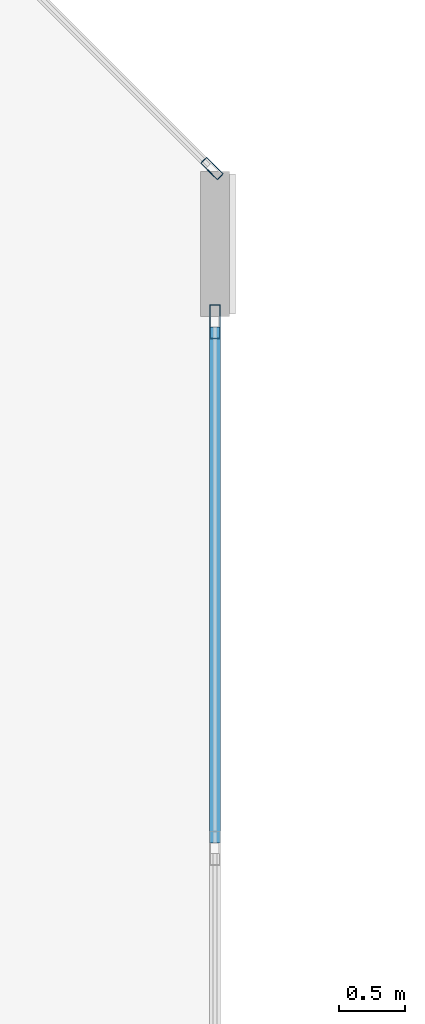
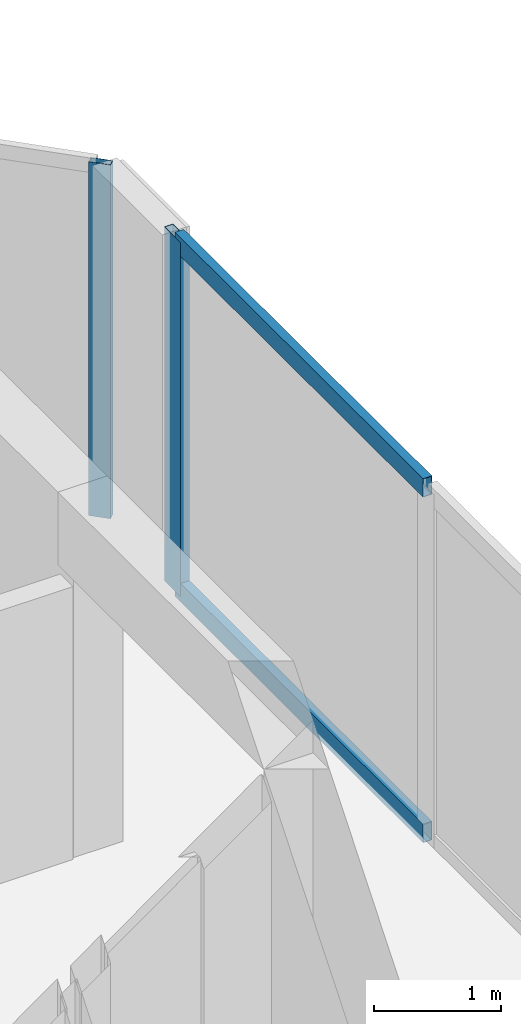
# One storey, part 8 of 28: 4 members, 2 elements without a shape of their own.
"""IFC4 building model written with IfcOpenShell, lengths in metres."""

import ifcopenshell
import ifcopenshell.guid

model = None  # the IFC model being written
_history = None  # IfcOwnerHistory: only IFC2X3 demands one
_inside = {}  # id of a spatial element -> (the spatial element, [elements in it])
_under = {}  # id of a project, library or spatial element -> (it, [spatial elements below it])
_declared = {}  # id of a project -> (the project, [libraries it declares])
_typed = {}  # id of a type object -> (the type object, [elements of that type])
_made_of = {}  # id of a material, layer set ... -> (it, [elements and type objects made of it])


def new_model(schema):
    """Start an empty IFC model of exactly this schema.

    Asked for "IFC4X3", IfcOpenShell would pick the latest addendum, in which some entities
    have other attributes; the version numbers below select the first issue.
    IFC2X3 requires an IfcOwnerHistory on every rooted entity: one is made here for all.
    """
    global model, _history
    if schema == "IFC4X3":
        model = ifcopenshell.file(schema_version=(4, 3, 0, 0))
    else:
        model = ifcopenshell.file(schema=schema)
    _inside.clear()
    _under.clear()
    _declared.clear()
    _typed.clear()
    _made_of.clear()
    _history = None
    if model.schema == "IFC2X3":
        org = make("IfcOrganization", Name="unknown")
        user = make(
            "IfcPersonAndOrganization",
            ThePerson=make("IfcPerson", FamilyName="unknown"),
            TheOrganization=org,
        )
        app = make(
            "IfcApplication",
            ApplicationDeveloper=org,
            Version="unknown",
            ApplicationFullName="unknown",
            ApplicationIdentifier="unknown",
        )
        _history = make(
            "IfcOwnerHistory",
            OwningUser=user,
            OwningApplication=app,
            ChangeAction="ADDED",
            CreationDate=0,
        )
    return model


def make(cls, **values):
    """One entity of the class cls with the attributes given. An attribute that is None is left unset."""
    return model.create_entity(
        cls, **{name: value for name, value in values.items() if value is not None}
    )


def rooted(cls, **values):
    """An entity with a GlobalId (a new one), such as an element, a storey or a relation."""
    return make(cls, GlobalId=ifcopenshell.guid.new(), OwnerHistory=_history, **values)


def si_unit(unit_type, name, prefix=None):
    """IfcSIUnit, for example si_unit("LENGTHUNIT", "METRE", prefix="MILLI")."""
    return make("IfcSIUnit", UnitType=unit_type, Prefix=prefix, Name=name)


def assignment(units):
    """IfcUnitAssignment: the units of a project."""
    return None if units is None else make("IfcUnitAssignment", Units=units)


def point(xyz):
    """IfcCartesianPoint."""
    return None if xyz is None else make("IfcCartesianPoint", Coordinates=xyz)


def direction(xyz):
    """IfcDirection."""
    return None if xyz is None else make("IfcDirection", DirectionRatios=xyz)


def frame(location, z_axis=None, x_axis=None):
    """IfcAxis2Placement3D, a coordinate frame: its origin and axes. An axis left out is left unset."""
    return make(
        "IfcAxis2Placement3D",
        Location=point(location),
        Axis=direction(z_axis),
        RefDirection=direction(x_axis),
    )


def frame_2d(location, x_axis=None):
    """IfcAxis2Placement2D, a coordinate frame in the plane: its origin and x axis."""
    return make(
        "IfcAxis2Placement2D", Location=point(location), RefDirection=direction(x_axis)
    )


def origin():
    """The frame at (0, 0, 0) with its axes left unset."""
    return frame((0.0, 0.0, 0.0))


def origin_2d():
    """The frame at (0, 0) in the plane with its x axis left unset."""
    return frame_2d((0.0, 0.0))


def place(relative_to, where):
    """IfcLocalPlacement: puts the frame where relative to a parent placement (None: the world)."""
    return make(
        "IfcLocalPlacement", PlacementRelTo=relative_to, RelativePlacement=where
    )


def context(
    kind, dimensions, precision=None, world=None, true_north=None, identifier=None
):
    """IfcGeometricRepresentationContext, for example the 3D "Model" context."""
    return make(
        "IfcGeometricRepresentationContext",
        ContextIdentifier=identifier,
        ContextType=kind,
        CoordinateSpaceDimension=dimensions,
        Precision=precision,
        WorldCoordinateSystem=world,
        TrueNorth=true_north,
    )


def subcontext(parent, identifier, kind, view, scale=None):
    """IfcGeometricRepresentationSubContext, for example "Body" below "Model"."""
    return make(
        "IfcGeometricRepresentationSubContext",
        ContextIdentifier=identifier,
        ContextType=kind,
        ParentContext=parent,
        TargetScale=scale,
        TargetView=view,
    )


def project(units=None, contexts=None):
    """IfcProject with its units and contexts."""
    return rooted(
        "IfcProject",
        Name="project",
        RepresentationContexts=contexts,
        UnitsInContext=assignment(units),
    )


def spatial(cls, under=None, at=None, **own):
    """A site, building, storey or space (cls), placed at a placement, below another one or the project."""
    s = rooted(cls, ObjectPlacement=at, **own)
    if under is not None:
        _under.setdefault(under.id(), (under, []))[1].append(s)
    return s


def profile(cls, at=None, kind="AREA", **sizes):
    """A parametric profile (cls). Its sizes go by their IFC names, for example OverallWidth=200.0."""
    return make(cls, ProfileType=kind, Position=at, **sizes)


def hollow_rectangle(**sizes):
    """IfcRectangleHollowProfileDef."""
    return profile("IfcRectangleHollowProfileDef", **sizes)


def extrude(swept, where, along, depth):
    """IfcExtrudedAreaSolid: the profile swept, set in the frame where, extruded along a direction by depth."""
    return make(
        "IfcExtrudedAreaSolid",
        SweptArea=swept,
        Position=where,
        ExtrudedDirection=direction(along),
        Depth=depth,
    )


def shape(context_of_items, identifier, shape_type, items):
    """IfcShapeRepresentation: the items that make up one representation, for example the "Body"."""
    return make(
        "IfcShapeRepresentation",
        ContextOfItems=context_of_items,
        RepresentationIdentifier=identifier,
        RepresentationType=shape_type,
        Items=items,
    )


def material(Name=None, Category=None):
    """IfcMaterial."""
    return make("IfcMaterial", Name=Name, Category=Category)


def layer(
    of_material, thickness, ventilated=None, Name=None, Category=None, Priority=None
):
    """IfcMaterialLayer: one layer of a wall or slab, of a material (None: an air gap)."""
    return make(
        "IfcMaterialLayer",
        Material=of_material,
        LayerThickness=thickness,
        IsVentilated=ventilated,
        Name=Name,
        Category=Category,
        Priority=Priority,
    )


def layer_set(layers, Name=None):
    """IfcMaterialLayerSet."""
    return make("IfcMaterialLayerSet", MaterialLayers=layers, LayerSetName=Name)


def material_profile(
    of_material, cross_section, Name=None, Category=None, Priority=None
):
    """IfcMaterialProfile: a cross section and its material."""
    return make(
        "IfcMaterialProfile",
        Name=Name,
        Material=of_material,
        Profile=cross_section,
        Priority=Priority,
        Category=Category,
    )


def profile_set(profiles, Name=None, composite=None):
    """IfcMaterialProfileSet."""
    return make(
        "IfcMaterialProfileSet",
        Name=Name,
        MaterialProfiles=profiles,
        CompositeProfile=composite,
    )


def made_of(thing, what):
    """Note that an element or type object is made of a material, layer set ...; save() writes the relation."""
    if what is not None:
        _made_of.setdefault(what.id(), (what, []))[1].append(thing)
    return thing


def type_object(cls, material=None, **own):
    """A type object (cls), such as IfcWallType, which elements share."""
    return made_of(rooted(cls, **own), material)


def element(
    cls,
    number,
    at=None,
    inside=None,
    cuts=None,
    type_object=None,
    material=None,
    context=None,
    identifier="Body",
    shape_type=None,
    held_by="IfcProductDefinitionShape",
    body=None,
    shapes=None,
    **own,
):
    """One element of the class cls, such as IfcWall. Its Tag is "e" and its number.

    at: its placement. inside: the storey or other place that contains it. cuts: it is an
    opening in that element (IfcRelVoidsElement). A single representation is given by context,
    identifier, shape_type and body (its items); several are given by shapes. held_by: the class
    of the entity that holds the representations. save() writes the other relations.
    """
    e = rooted(cls, Tag="e%d" % number, ObjectPlacement=at, **own)
    if body is not None:
        shapes = [shape(context, identifier, shape_type, body)]
    if shapes is not None:
        e.Representation = make(held_by, Representations=shapes)
    if inside is not None:
        _inside.setdefault(inside.id(), (inside, []))[1].append(e)
    if cuts is not None:
        rooted(
            "IfcRelVoidsElement", RelatingBuildingElement=cuts, RelatedOpeningElement=e
        )
    if type_object is not None:
        _typed.setdefault(type_object.id(), (type_object, []))[1].append(e)
    return made_of(e, material)


def aggregate(whole, parts):
    """IfcRelAggregates: a whole, such as a stair, and the parts it consists of."""
    return rooted("IfcRelAggregates", RelatingObject=whole, RelatedObjects=parts)


def save(model, path):
    """Write the relations noted so far, then the file.

    IfcRelAggregates (storeys below a building ...), IfcRelContainedInSpatialStructure (elements
    in a storey), IfcRelDefinesByType, IfcRelAssociatesMaterial and IfcRelDeclares: one each for
    every whole, place, type object, material and project.
    """
    for whole, parts in _under.values():
        aggregate(whole, parts)
    for where, things in _inside.values():
        rooted(
            "IfcRelContainedInSpatialStructure",
            RelatedElements=things,
            RelatingStructure=where,
        )
    for kind, things in _typed.values():
        rooted("IfcRelDefinesByType", RelatedObjects=things, RelatingType=kind)
    for what, things in _made_of.values():
        rooted("IfcRelAssociatesMaterial", RelatedObjects=things, RelatingMaterial=what)
    for by, libraries in _declared.values():
        rooted("IfcRelDeclares", RelatingContext=by, RelatedDefinitions=libraries)
    model.write(path)


model = new_model("IFC4")

# Units and contexts
model_context = context("Model", 3, precision=1e-05, world=origin(), true_north=direction((0.0, 1.0)))
body_context = subcontext(model_context, "Body", "Model", "MODEL_VIEW")
ifc_project = project(units=[si_unit("LENGTHUNIT", "METRE"), si_unit("AREAUNIT", "SQUARE_METRE"), si_unit("VOLUMEUNIT", "CUBIC_METRE"), si_unit("PLANEANGLEUNIT", "RADIAN"), si_unit("MASSUNIT", "GRAM", prefix="KILO")], contexts=[model_context])

# Site, building, storey
site_placement = place(None, origin())
site = spatial("IfcSite", under=ifc_project, at=site_placement, CompositionType="ELEMENT")
building_placement = place(site_placement, origin())
building = spatial("IfcBuilding", under=site, at=building_placement, Name="Tanjung Sevakor Pilgrim Tower", CompositionType="ELEMENT")
storey_placement = place(building_placement, frame((0.0, 0.0, 257.070068359375)))
storey = spatial("IfcBuildingStorey", under=building, at=storey_placement, Name="L72", CompositionType="ELEMENT", Elevation=257.070068359375)

# Curtain wall, member
ifc_material_1 = material(Name="Aluminium 6063-T6 and Low-E Glass", Category="aluminium")
ifc_layer_1 = layer(ifc_material_1, 0.179931640625)
ifc_layer_set_1 = layer_set([ifc_layer_1], Name="CW-SYS-CHAM")
curtain_wall_type_1 = type_object("IfcCurtainWallType", Name="CW-SYS-CHAM", PredefinedType="NOTDEFINED", material=ifc_layer_set_1)
curtain_wall_1_placement = place(storey_placement, origin())
curtain_wall_1 = element("IfcCurtainWall", 1, at=curtain_wall_1_placement, inside=storey, type_object=curtain_wall_type_1, Name="L72 Curtain Wall CW-CHM-L72-WEST-3", PredefinedType="NOTDEFINED")
ifc_material_2 = material(Name="Aluminium 6063-T6", Category="aluminium")
ifc_material_profile_1 = material_profile(ifc_material_2, hollow_rectangle(XDim=0.06494140625, YDim=0.179931640625, WallThickness=0.00390625, at=origin_2d()))
ifc_profile_set_1 = profile_set([ifc_material_profile_1], Name="Aluminium 6063-T6")
member_type_1 = type_object("IfcMemberType", Name="TYPE-CWM-1", PredefinedType="MULLION", material=ifc_profile_set_1)
member_1_placement = place(storey_placement, frame((38.317138671875, 40.77734375, 0.0), z_axis=(0.0, 0.0, 1.0), x_axis=(-0.707106781187, -0.707106781187, 0.0)))
member_1 = element("IfcMember", 2, at=member_1_placement, type_object=member_type_1, Name="CW-CHM mullion 1", PredefinedType="MULLION", context=body_context, shape_type="SweptSolid", body=[
    extrude(hollow_rectangle(XDim=0.06494140625, YDim=0.179931640625, WallThickness=0.00390625, at=origin_2d()), origin(), (0.0, 0.0, 1.0), 3.409912109375),
])
aggregate(curtain_wall_1, [member_1])

# Curtain wall, members
ifc_material_3 = material(Name="Aluminium 6063-T6 and Low-E Glass", Category="aluminium")
ifc_layer_2 = layer(ifc_material_3, 0.199951171875)
ifc_layer_set_2 = layer_set([ifc_layer_2], Name="CW-SYS-CRNW")
curtain_wall_type_2 = type_object("IfcCurtainWallType", Name="CW-SYS-CRNW", PredefinedType="NOTDEFINED", material=ifc_layer_set_2)
curtain_wall_2_placement = place(storey_placement, origin())
curtain_wall_2 = element("IfcCurtainWall", 3, at=curtain_wall_2_placement, inside=storey, type_object=curtain_wall_type_2, Name="L72 Curtain Wall CW-CRN-L72-WEST-2-1", PredefinedType="NOTDEFINED")
ifc_material_4 = material(Name="Aluminium 6063-T6", Category="aluminium")
ifc_material_profile_2 = material_profile(ifc_material_4, hollow_rectangle(XDim=0.080078125, YDim=0.260009765625, WallThickness=0.0048828125, at=origin_2d()))
ifc_profile_set_2 = profile_set([ifc_material_profile_2], Name="Aluminium 6063-T6")
member_type_2 = type_object("IfcMemberType", Name="TYPE-CWM-3", PredefinedType="MULLION", material=ifc_profile_set_2)
member_2_placement = place(storey_placement, frame((38.340087890625, 39.614501953125, 0.0), z_axis=(0.0, 0.0, 1.0), x_axis=(-1.0, 0.0, 0.0)))
member_2 = element("IfcMember", 4, at=member_2_placement, type_object=member_type_2, Name="CW-CRW mullion 4", PredefinedType="MULLION", context=body_context, shape_type="SweptSolid", body=[
    extrude(hollow_rectangle(XDim=0.080078125, YDim=0.260009765625, WallThickness=0.0048828125, at=origin_2d()), origin(), (0.0, 0.0, 1.0), 3.409912109375),
])
ifc_material_5 = material(Name="Aluminium 6063-T6", Category="aluminium")
ifc_material_profile_3 = material_profile(ifc_material_5, hollow_rectangle(XDim=0.080078125, YDim=0.179931640625, WallThickness=0.0048828125, at=origin_2d()))
ifc_profile_set_3 = profile_set([ifc_material_profile_3], Name="Aluminium 6063-T6")
member_type_3 = type_object("IfcMemberType", Name="TYPE-CWT-3", PredefinedType="USERDEFINED", material=ifc_profile_set_3)
member_3_placement = place(storey_placement, frame((38.340087890625, 35.658203125, 0.0400390625), z_axis=(0.0, 1.0, 0.0), x_axis=(-1.0, 0.0, 0.0)))
member_3 = element("IfcMember", 5, at=member_3_placement, type_object=member_type_3, Name="CW-CRW transom 3.1", ObjectType="TRANSOM", PredefinedType="USERDEFINED", context=body_context, shape_type="SweptSolid", body=[
    extrude(hollow_rectangle(XDim=0.080078125, YDim=0.179931640625, WallThickness=0.0048828125, at=origin_2d()), origin(), (0.0, 0.0, 1.0), 3.916259765625),
])
member_4_placement = place(storey_placement, frame((38.340087890625, 35.658203125, 3.369873046875), z_axis=(0.0, 1.0, 0.0), x_axis=(-1.0, 0.0, 0.0)))
member_4 = element("IfcMember", 6, at=member_4_placement, type_object=member_type_3, Name="CW-CRW transom 3.2", ObjectType="TRANSOM", PredefinedType="USERDEFINED", context=body_context, shape_type="SweptSolid", body=[
    extrude(hollow_rectangle(XDim=0.080078125, YDim=0.179931640625, WallThickness=0.0048828125, at=origin_2d()), origin(), (0.0, 0.0, 1.0), 3.916259765625),
])
aggregate(curtain_wall_2, [member_2, member_3, member_4])

save(model, "model.ifc")
